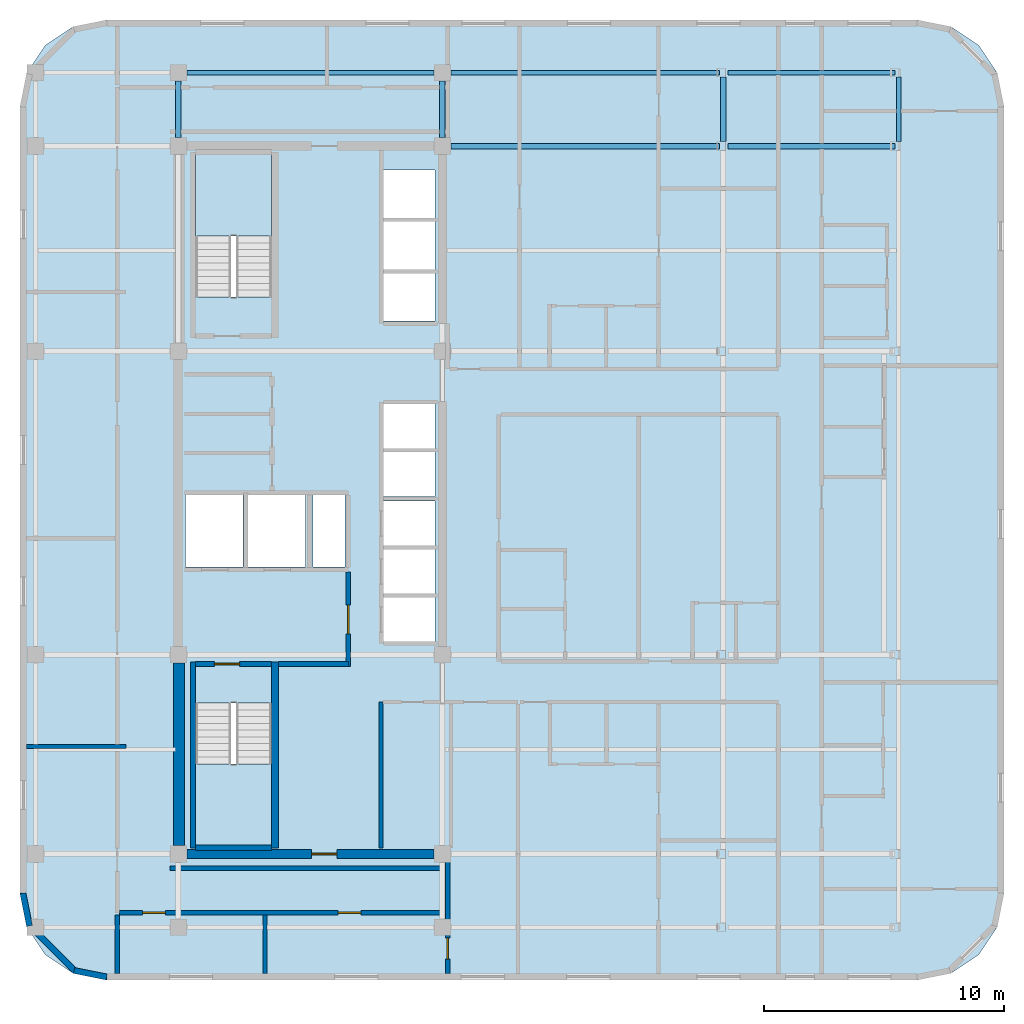
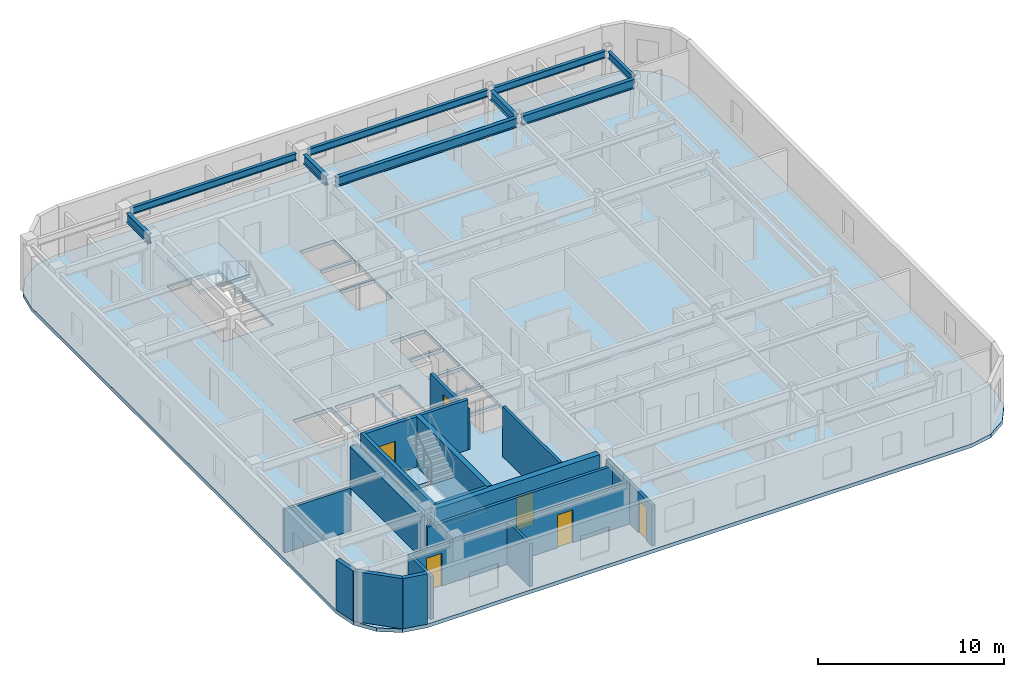
# One storey, part 2 of 8: 18 walls, 9 beams, 6 doors, 3 slabs, 6 openings, 2 elements without a shape of their own.
"""IFC4 building model written with IfcOpenShell, lengths in metres."""

from ifc_helpers import new_model, si_unit, direction, frame, frame_2d, origin, origin_2d, place, context, subcontext, project, spatial, polyline, rectangle, i_section, outline, extrude, material, layer, layer_set, material_profile, profile_set, type_object, element, fill, aggregate, save


model = new_model("IFC4")

# Units and contexts
model_context = context("Model", 3, precision=1e-05, world=origin(), true_north=direction((0.0, 1.0)))
body_context = subcontext(model_context, "Body", "Model", "MODEL_VIEW")
ifc_project = project(units=[si_unit("LENGTHUNIT", "METRE"), si_unit("AREAUNIT", "SQUARE_METRE"), si_unit("VOLUMEUNIT", "CUBIC_METRE"), si_unit("PLANEANGLEUNIT", "RADIAN"), si_unit("MASSUNIT", "GRAM", prefix="KILO")], contexts=[model_context])

# Site, building, storey
site_placement = place(None, origin())
site = spatial("IfcSite", under=ifc_project, at=site_placement, CompositionType="ELEMENT")
building_placement = place(site_placement, origin())
building = spatial("IfcBuilding", under=site, at=building_placement, Name="Ochreholt Gables", CompositionType="ELEMENT")
storey_placement = place(building_placement, frame((0.0, 0.0, 196.199951171875)))
storey = spatial("IfcBuildingStorey", under=building, at=storey_placement, Name="L51", CompositionType="ELEMENT", Elevation=196.199951171875)

# Beams
ifc_material_1 = material(Name="Steel CSA G40.21 350W", Category="steel")
ifc_material_profile_1 = material_profile(ifc_material_1, i_section(OverallWidth=0.22900390625, OverallDepth=0.612060546875, WebThickness=0.011962890625, FlangeThickness=0.01953125, at=origin_2d()), Name="W610X125")
ifc_profile_set_1 = profile_set([ifc_material_profile_1], Name="Steel CSA G40.21 350W")
beam_type_1 = type_object("IfcBeamType", Name="BM-G-W610B", PredefinedType="BEAM", material=ifc_profile_set_1)
beam_1_placement = place(storey_placement, frame((35.549560546875, 38.75, 2.994140625), z_axis=(1.0, 0.0, 0.0), x_axis=(0.0, 1.0, 0.0)))
element("IfcBeam", 1, at=beam_1_placement, inside=storey, type_object=beam_type_1, Name="L51 Beam TBG-L51-C2EM-Y5", PredefinedType="BEAM", context=body_context, shape_type="SweptSolid", body=[
    extrude(i_section(OverallWidth=0.22900390625, OverallDepth=0.612060546875, WebThickness=0.011962890625, FlangeThickness=0.01953125, at=origin_2d()), origin(), (0.0, 0.0, 1.0), 11.201904296875),
])
beam_2_placement = place(storey_placement, frame((47.106689453125, 38.75, 2.994140625), z_axis=(1.0, 0.0, 0.0), x_axis=(0.0, 1.0, 0.0)))
element("IfcBeam", 2, at=beam_2_placement, inside=storey, type_object=beam_type_1, Name="L51 Beam TBG-L51-EMEE-Y5", PredefinedType="BEAM", context=body_context, shape_type="SweptSolid", body=[
    extrude(i_section(OverallWidth=0.22900390625, OverallDepth=0.612060546875, WebThickness=0.011962890625, FlangeThickness=0.01953125, at=origin_2d()), origin(), (0.0, 0.0, 1.0), 6.9609375),
])
for number, where, z_axis, x_axis, name in (
    (3, (24.199951171875, 39.099609375, 2.994140625), (0.0, 1.0, 0.0), (-1.0, 0.0, 0.0), "L51 Beam TBN-L51-C1-Y5Y6"),
    (4, (35.199951171875, 39.099609375, 2.994140625), (0.0, 1.0, 0.0), (-1.0, 0.0, 0.0), "L51 Beam TBN-L51-C2-Y5Y6"),
):
    element("IfcBeam", number, at=place(storey_placement, frame(where, z_axis=z_axis, x_axis=x_axis)), inside=storey, type_object=beam_type_1, Name=name, PredefinedType="BEAM", context=body_context, shape_type="SweptSolid", body=[
        extrude(i_section(OverallWidth=0.22900390625, OverallDepth=0.612060546875, WebThickness=0.011962890625, FlangeThickness=0.01953125, at=origin_2d()), origin(), (0.0, 0.0, 1.0), 2.350830078125),
    ])
beam_3_placement = place(storey_placement, frame((46.909912109375, 38.927490234375, 2.994140625), z_axis=(0.0, 1.0, 0.0), x_axis=(-1.0, 0.0, 0.0)))
element("IfcBeam", 5, at=beam_3_placement, inside=storey, type_object=beam_type_1, Name="L51 Beam TBN-L51-EM-Y5Y6", PredefinedType="BEAM", context=body_context, shape_type="SweptSolid", body=[
    extrude(i_section(OverallWidth=0.22900390625, OverallDepth=0.612060546875, WebThickness=0.011962890625, FlangeThickness=0.01953125, at=origin_2d()), origin(), (0.0, 0.0, 1.0), 2.69482421875),
])
ifc_material_profile_2 = material_profile(ifc_material_1, i_section(OverallWidth=0.19189453125, OverallDepth=0.462890625, WebThickness=0.010498046875, FlangeThickness=0.017578125, at=origin_2d()), Name="W460X89")
ifc_profile_set_2 = profile_set([ifc_material_profile_2], Name="Steel CSA G40.21 350W")
beam_type_2 = type_object("IfcBeamType", Name="BM-SP-W460A", PredefinedType="SPANDREL", material=ifc_profile_set_2)
beam_4_placement = place(storey_placement, frame((24.549560546875, 41.800048828125, 3.068603515625), z_axis=(1.0, 0.0, 0.0), x_axis=(0.0, 1.0, 0.0)))
element("IfcBeam", 6, at=beam_4_placement, inside=storey, type_object=beam_type_2, Name="L51 Beam TBG-L51-C1C2-Y6", PredefinedType="SPANDREL", context=body_context, shape_type="SweptSolid", body=[
    extrude(i_section(OverallWidth=0.19189453125, OverallDepth=0.462890625, WebThickness=0.010498046875, FlangeThickness=0.017578125, at=origin_2d()), origin(), (0.0, 0.0, 1.0), 10.30078125),
])
beam_5_placement = place(storey_placement, frame((35.549560546875, 41.800048828125, 3.068603515625), z_axis=(1.0, 0.0, 0.0), x_axis=(0.0, 1.0, 0.0)))
element("IfcBeam", 7, at=beam_5_placement, inside=storey, type_object=beam_type_2, Name="L51 Beam TBG-L51-C2EM-Y6", PredefinedType="SPANDREL", context=body_context, shape_type="SweptSolid", body=[
    extrude(i_section(OverallWidth=0.19189453125, OverallDepth=0.462890625, WebThickness=0.010498046875, FlangeThickness=0.017578125, at=origin_2d()), origin(), (0.0, 0.0, 1.0), 11.201904296875),
])
beam_6_placement = place(storey_placement, frame((47.106689453125, 41.800048828125, 3.068603515625), z_axis=(1.0, 0.0, 0.0), x_axis=(0.0, 1.0, 0.0)))
element("IfcBeam", 8, at=beam_6_placement, inside=storey, type_object=beam_type_2, Name="L51 Beam TBG-L51-EMEE-Y6", PredefinedType="SPANDREL", context=body_context, shape_type="SweptSolid", body=[
    extrude(i_section(OverallWidth=0.19189453125, OverallDepth=0.462890625, WebThickness=0.010498046875, FlangeThickness=0.017578125, at=origin_2d()), origin(), (0.0, 0.0, 1.0), 6.9609375),
])
beam_7_placement = place(storey_placement, frame((54.21337890625, 38.927490234375, 3.068603515625), z_axis=(0.0, 1.0, 0.0), x_axis=(-1.0, 0.0, 0.0)))
element("IfcBeam", 9, at=beam_7_placement, inside=storey, type_object=beam_type_2, Name="L51 Beam TBN-L51-EE-Y5Y6", PredefinedType="SPANDREL", context=body_context, shape_type="SweptSolid", body=[
    extrude(i_section(OverallWidth=0.19189453125, OverallDepth=0.462890625, WebThickness=0.010498046875, FlangeThickness=0.017578125, at=origin_2d()), origin(), (0.0, 0.0, 1.0), 2.69482421875),
])

# Stair, slab
ifc_material_2 = material(Name="Concrete 40 MPa", Category="concrete")
stair_type_1 = type_object("IfcStairType", Name="STAIR-CORE-ST-1", PredefinedType="HALF_TURN_STAIR", material=ifc_material_2)
stair_1_placement = place(storey_placement, origin())
stair_1 = element("IfcStair", 10, at=stair_1_placement, inside=storey, type_object=stair_type_1, Name="L51 Core Exit Stair 1", PredefinedType="HALF_TURN_STAIR")
ifc_layer_1 = layer(ifc_material_2, 0.199951171875, Name="Concrete 40 MPa")
ifc_layer_set_1 = layer_set([ifc_layer_1], Name="Concrete 40 MPa")
slab_type_1 = type_object("IfcSlabType", Name="LANDING-RC200", PredefinedType="LANDING", material=ifc_layer_set_1)
slab_1_placement = place(storey_placement, frame((0.0, 0.0, 1.60009765625)))
slab_1 = element("IfcSlab", 11, at=slab_1_placement, type_object=slab_type_1, Name="ST-1 landing 1", PredefinedType="LANDING", context=body_context, shape_type="SweptSolid", body=[
    extrude(outline(polyline([(24.919921875, 13.001953125), (24.919921875, 9.52001953125), (28.080078125, 9.52001953125), (28.080078125, 13.001953125), (24.919921875, 13.001953125)])), origin(), (0.0, 0.0, 1.0), 0.199951171875),
])
aggregate(stair_1, [slab_1])

stair_type_2 = type_object("IfcStairType", Name="STAIR-CORE-ST-2", PredefinedType="HALF_TURN_STAIR", material=ifc_material_2)
stair_2_placement = place(storey_placement, origin())
stair_2 = element("IfcStair", 12, at=stair_2_placement, inside=storey, type_object=stair_type_2, Name="L51 Core Exit Stair 2", PredefinedType="HALF_TURN_STAIR")
slab_2_placement = place(storey_placement, frame((0.0, 0.0, 1.60009765625)))
slab_2 = element("IfcSlab", 13, at=slab_2_placement, type_object=slab_type_1, Name="ST-2 landing 1", PredefinedType="LANDING", context=body_context, shape_type="SweptSolid", body=[
    extrude(outline(polyline([(28.080078125, 34.998046875), (28.080078125, 38.47998046875), (24.919921875, 38.47998046875), (24.919921875, 34.998046875), (28.080078125, 34.998046875)])), origin(), (0.0, 0.0, 1.0), 0.199951171875),
])
aggregate(stair_2, [slab_2])

# Slab
ifc_layer_2 = layer(ifc_material_2, 0.239990234375, Name="Concrete 40 MPa")
ifc_layer_set_2 = layer_set([ifc_layer_2], Name="Concrete 40 MPa")
slab_type_2 = type_object("IfcSlabType", Name="SLAB-TWR-240", PredefinedType="FLOOR", material=ifc_layer_set_2)
slab_3_placement = place(storey_placement, frame((0.0, 0.0, -0.239990234375)))
element("IfcSlab", 14, at=slab_3_placement, inside=storey, type_object=slab_type_2, Name="L51 Structural Floor Slab", PredefinedType="FLOOR", context=body_context, shape_type="SweptSolid", body=[
    extrude(outline(polyline([(17.60009765625, 7.60009765625), (17.8740234375, 6.222412109375), (18.654296875, 5.054443359375), (19.822265625, 4.27392578125), (21.199951171875, 4.0), (55.0, 4.0), (56.377685546875, 4.27392578125), (57.545654296875, 5.054443359375), (58.325927734375, 6.222412109375), (58.60009765625, 7.60009765625), (58.60009765625, 40.39990234375), (58.325927734375, 41.777587890625), (57.545654296875, 42.945556640625), (56.377685546875, 43.72607421875), (55.0, 44.0), (21.199951171875, 44.0), (19.822265625, 43.72607421875), (18.654296875, 42.945556640625), (17.8740234375, 41.777587890625), (17.60009765625, 40.39990234375), (17.60009765625, 7.60009765625)]), holes=[polyline([(24.919921875, 15.539306640625), (24.919921875, 9.52001953125), (28.080078125, 9.52001953125), (28.080078125, 15.539306640625), (24.919921875, 15.539306640625)]), polyline([(28.080078125, 32.460693359375), (28.080078125, 38.47998046875), (24.919921875, 38.47998046875), (24.919921875, 32.460693359375), (28.080078125, 32.460693359375)]), polyline([(24.5, 21.199951171875), (26.89990234375, 21.199951171875), (26.89990234375, 24.199951171875), (24.5, 24.199951171875), (24.5, 21.199951171875)]), polyline([(27.10009765625, 21.199951171875), (29.5, 21.199951171875), (29.5, 24.199951171875), (27.10009765625, 24.199951171875), (27.10009765625, 21.199951171875)]), polyline([(32.75, 18.10009765625), (34.89990234375, 18.10009765625), (34.89990234375, 19.949951171875), (32.75, 19.949951171875), (32.75, 18.10009765625)]), polyline([(32.75, 20.10009765625), (34.89990234375, 20.10009765625), (34.89990234375, 21.949951171875), (32.75, 21.949951171875), (32.75, 20.10009765625)]), polyline([(32.75, 22.10009765625), (34.89990234375, 22.10009765625), (34.89990234375, 23.949951171875), (32.75, 23.949951171875), (32.75, 22.10009765625)]), polyline([(32.75, 24.14990234375), (34.89990234375, 24.14990234375), (34.89990234375, 26.0), (32.75, 26.0), (32.75, 24.14990234375)]), polyline([(32.75, 26.14990234375), (34.89990234375, 26.14990234375), (34.89990234375, 28.0), (32.75, 28.0), (32.75, 26.14990234375)]), polyline([(32.75, 31.449951171875), (34.89990234375, 31.449951171875), (34.89990234375, 33.449951171875), (32.75, 33.449951171875), (32.75, 31.449951171875)]), polyline([(32.75, 33.60009765625), (34.89990234375, 33.60009765625), (34.89990234375, 35.60009765625), (32.75, 35.60009765625), (32.75, 33.60009765625)]), polyline([(32.75, 35.75), (34.89990234375, 35.75), (34.89990234375, 37.75), (32.75, 37.75), (32.75, 35.75)]), polyline([(29.800048828125, 21.199951171875), (31.14990234375, 21.199951171875), (31.14990234375, 24.199951171875), (29.800048828125, 24.199951171875), (29.800048828125, 21.199951171875)])]), origin(), (0.0, 0.0, 1.0), 0.239990234375),
])

# Wall, opening, door
ifc_material_3 = material(Name="Concrete 50 MPa", Category="concrete")
ifc_layer_3 = layer(ifc_material_3, 0.3798828125, Name="Concrete 50 MPa")
ifc_layer_set_3 = layer_set([ifc_layer_3], Name="Concrete 50 MPa")
wall_type_1 = type_object("IfcWallType", Name="WALL-CSW-380", PredefinedType="SHEAR", material=ifc_layer_set_3)
wall_1_placement = place(storey_placement, frame((24.550048828125, 9.25, 0.0), z_axis=(0.0, 0.0, 1.0), x_axis=(1.0, 0.0, 0.0)))
wall_1 = element("IfcWall", 15, at=wall_1_placement, inside=storey, type_object=wall_type_1, Name="L51 Core South Shear Wall", PredefinedType="SHEAR", context=body_context, shape_type="SweptSolid", body=[
    extrude(rectangle(XDim=10.300048828125, YDim=0.3798828125, at=frame_2d((5.14990234375, 0.0))), origin(), (0.0, 0.0, 1.0), 3.300048828125),
])
opening_1_placement = place(wall_1_placement, frame((5.199951171875, 0.0, 0.0)))
opening_1 = element("IfcOpeningElement", 16, at=opening_1_placement, cuts=wall_1, Name="Opening D-FLB", PredefinedType="OPENING", context=body_context, shape_type="SweptSolid", body=[
    extrude(rectangle(XDim=1.050048828125, YDim=2.14990234375, at=frame_2d((0.52490234375, 1.074951171875))), frame((0.0, 0.199951171875, 0.0), z_axis=(0.0, -1.0, 0.0), x_axis=(1.0, 0.0, 0.0)), (0.0, 0.0, 1.0), 0.39990234375),
])
ifc_material_4 = material(Name="Hollow Metal Steel", Category="steel")
door_type_1 = type_object("IfcDoorType", Name="DR-INT-FLB1050", OperationType="NOTDEFINED", PredefinedType="DOOR", material=ifc_material_4)
door_1_placement = place(opening_1_placement, origin())
door_1 = element("IfcDoor", 17, at=door_1_placement, inside=storey, type_object=door_type_1, Name="L51 Door D-C2CRS-L51", OperationType="SINGLE_SWING_LEFT", OverallHeight=2.14990234375, OverallWidth=1.050048828125, PredefinedType="DOOR", context=body_context, shape_type="SweptSolid", body=[
    extrude(rectangle(XDim=1.050048828125, YDim=2.14990234375, at=frame_2d((0.52490234375, 1.074951171875))), frame((0.0, 0.02490234375, 0.0), z_axis=(0.0, -1.0, 0.0), x_axis=(1.0, 0.0, 0.0)), (0.0, 0.0, 1.0), 0.050048828125),
])
fill(opening_1, door_1)

# Walls
ifc_material_5 = material(Name="Concrete 60 MPa", Category="concrete")
ifc_layer_4 = layer(ifc_material_5, 0.449951171875, Name="Concrete 60 MPa")
ifc_layer_set_4 = layer_set([ifc_layer_4], Name="Concrete 60 MPa")
wall_type_2 = type_object("IfcWallType", Name="WALL-CSW-450", PredefinedType="SHEAR", material=ifc_layer_set_4)
wall_2_placement = place(storey_placement, frame((24.22509765625, 9.60009765625, 0.0), z_axis=(0.0, 0.0, 1.0), x_axis=(0.0, 1.0, 0.0)))
element("IfcWall", 18, at=wall_2_placement, inside=storey, type_object=wall_type_2, Name="L51 Core West Shear Wall WS", PredefinedType="SHEAR", context=body_context, shape_type="SweptSolid", body=[
    extrude(rectangle(XDim=7.599853515625, YDim=0.449951171875, at=frame_2d((3.7998046875, 0.0))), origin(), (0.0, 0.0, 1.0), 2.68798828125),
])
ifc_material_6 = material(Name="Precast concrete 40 MPa", Category="concrete")
ifc_layer_5 = layer(ifc_material_6, 0.25, Name="Precast concrete 40 MPa")
ifc_layer_set_5 = layer_set([ifc_layer_5], Name="Precast concrete 40 MPa")
wall_type_3 = type_object("IfcWallType", Name="WALL-EXT-CNR", PredefinedType="SOLIDWALL", material=ifc_layer_set_5)
wall_3_placement = place(storey_placement, frame((17.72412109375, 7.616455078125, 0.0), z_axis=(0.0, 0.0, 1.0), x_axis=(0.195135625965, -0.9807762678, 0.0)))
element("IfcWall", 19, at=wall_3_placement, inside=storey, type_object=wall_type_3, Name="L51 Rounded Corner Wall SW-1", PredefinedType="SOLIDWALL", context=body_context, shape_type="SweptSolid", body=[
    extrude(rectangle(XDim=1.388671875, YDim=0.25, at=frame_2d((0.6943359375, 0.0))), origin(), (0.0, 0.0, 1.0), 3.300048828125),
])
wall_4_placement = place(storey_placement, frame((17.968017578125, 6.304931640625, 0.0), z_axis=(0.0, 0.0, 1.0), x_axis=(0.707106781187, -0.707106781187, 0.0)))
element("IfcWall", 20, at=wall_4_placement, inside=storey, type_object=wall_type_3, Name="L51 Rounded Corner Wall SW-2", PredefinedType="SOLIDWALL", context=body_context, shape_type="SweptSolid", body=[
    extrude(rectangle(XDim=2.7392578125, YDim=0.25, at=frame_2d((1.36962890625, 0.0))), origin(), (0.0, 0.0, 1.0), 3.300048828125),
])
wall_5_placement = place(storey_placement, frame((19.8544921875, 4.39501953125, 0.0), z_axis=(0.0, 0.0, 1.0), x_axis=(0.980809899341, -0.19496651342, 0.0)))
element("IfcWall", 21, at=wall_5_placement, inside=storey, type_object=wall_type_3, Name="L51 Rounded Corner Wall SW-3", PredefinedType="SOLIDWALL", context=body_context, shape_type="SweptSolid", body=[
    extrude(rectangle(XDim=1.388671875, YDim=0.25, at=frame_2d((0.6943359375, 0.0))), origin(), (0.0, 0.0, 1.0), 3.300048828125),
])
ifc_layer_6 = layer(ifc_material_2, 0.199951171875, Name="Concrete 40 MPa")
ifc_layer_set_6 = layer_set([ifc_layer_6], Name="Concrete 40 MPa")
wall_type_4 = type_object("IfcWallType", Name="WALL-INT-CF200", PredefinedType="STANDARD", material=ifc_layer_set_6)
wall_6_placement = place(storey_placement, frame((28.3798828125, 17.169921875, 0.0), z_axis=(0.0, 0.0, 1.0), x_axis=(1.0, 0.0, 0.0)))
element("IfcWall", 22, at=wall_6_placement, inside=storey, type_object=wall_type_4, Name="L51 Interior Wall WI-FFS-L51", PredefinedType="STANDARD", context=body_context, shape_type="SweptSolid", body=[
    extrude(rectangle(XDim=2.900146484375, YDim=0.199951171875, at=frame_2d((1.4501953125, 0.0))), origin(), (0.0, 0.0, 1.0), 3.300048828125),
])

# Wall, opening, door
wall_7_placement = place(storey_placement, frame((31.280029296875, 17.070068359375, 0.0), z_axis=(0.0, 0.0, 1.0), x_axis=(0.0, 1.0, 0.0)))
wall_7 = element("IfcWall", 23, at=wall_7_placement, inside=storey, type_object=wall_type_4, Name="L51 Interior Wall WI-FFE-L51", PredefinedType="STANDARD", context=body_context, shape_type="SweptSolid", body=[
    extrude(rectangle(XDim=3.919921875, YDim=0.199951171875, at=frame_2d((1.9599609375, 0.0))), origin(), (0.0, 0.0, 1.0), 2.670166015625),
])
opening_2_placement = place(wall_7_placement, frame((1.35009765625, 0.0, 0.0)))
opening_2 = element("IfcOpeningElement", 24, at=opening_2_placement, cuts=wall_7, Name="Opening D-FFL", PredefinedType="OPENING", context=body_context, shape_type="SweptSolid", body=[
    extrude(rectangle(XDim=1.199951171875, YDim=2.14990234375, at=frame_2d((0.60009765625, 1.074951171875))), frame((0.0, 0.10986328125, 0.0), z_axis=(0.0, -1.0, 0.0), x_axis=(1.0, 0.0, 0.0)), (0.0, 0.0, 1.0), 0.219970703125),
])
door_type_2 = type_object("IfcDoorType", Name="DR-INT-FFL1200", OperationType="NOTDEFINED", PredefinedType="DOOR", material=ifc_material_4)
door_2_placement = place(opening_2_placement, origin())
door_2 = element("IfcDoor", 25, at=door_2_placement, inside=storey, type_object=door_type_2, Name="L51 Door D-FFL-L51", OperationType="SINGLE_SWING_LEFT", OverallHeight=2.14990234375, OverallWidth=1.199951171875, PredefinedType="DOOR", context=body_context, shape_type="SweptSolid", body=[
    extrude(rectangle(XDim=1.199951171875, YDim=2.14990234375, at=frame_2d((0.60009765625, 1.074951171875))), frame((0.0, 0.02490234375, 0.0), z_axis=(0.0, -1.0, 0.0), x_axis=(1.0, 0.0, 0.0)), (0.0, 0.0, 1.0), 0.050048828125),
])
fill(opening_2, door_2)

# Wall, openings, doors
ifc_material_7 = material(Name="Fire-Rated Gypsum Acoustic Partition", Category="gypsum")
ifc_layer_7 = layer(ifc_material_7, 0.179931640625, Name="Fire-Rated Gypsum Acoustic Partition")
ifc_layer_set_7 = layer_set([ifc_layer_7], Name="Fire-Rated Gypsum Acoustic Partition")
wall_type_5 = type_object("IfcWallType", Name="WALL-INT-CR180", PredefinedType="STANDARD", material=ifc_layer_set_7)
wall_8_placement = place(storey_placement, frame((21.739990234375, 6.800048828125, 0.0), z_axis=(0.0, 0.0, 1.0), x_axis=(1.0, 0.0, 0.0)))
wall_8 = element("IfcWall", 26, at=wall_8_placement, inside=storey, type_object=wall_type_5, Name="L51 Interior Wall WI-C2WCS-L51", PredefinedType="STANDARD", context=body_context, shape_type="SweptSolid", body=[
    extrude(rectangle(XDim=13.679931640625, YDim=0.179931640625, at=frame_2d((6.83984375, 0.0))), origin(), (0.0, 0.0, 1.0), 2.670166015625),
])
opening_3_placement = place(wall_8_placement, frame((0.969970703125, 0.0, 0.0)))
opening_3 = element("IfcOpeningElement", 27, at=opening_3_placement, cuts=wall_8, Name="Opening D-GN1", PredefinedType="OPENING", context=body_context, shape_type="SweptSolid", body=[
    extrude(rectangle(XDim=0.949951171875, YDim=2.14990234375, at=frame_2d((0.47509765625, 1.074951171875))), frame((0.0, 0.099853515625, 0.0), z_axis=(0.0, -1.0, 0.0), x_axis=(1.0, 0.0, 0.0)), (0.0, 0.0, 1.0), 0.199951171875),
])
opening_4_placement = place(wall_8_placement, frame((9.110107421875, 0.0, 0.0)))
opening_4 = element("IfcOpeningElement", 28, at=opening_4_placement, cuts=wall_8, Name="Opening D-GN1", PredefinedType="OPENING", context=body_context, shape_type="SweptSolid", body=[
    extrude(rectangle(XDim=0.949951171875, YDim=2.14990234375, at=frame_2d((0.47509765625, 1.074951171875))), frame((0.0, 0.099853515625, 0.0), z_axis=(0.0, -1.0, 0.0), x_axis=(1.0, 0.0, 0.0)), (0.0, 0.0, 1.0), 0.199951171875),
])
ifc_material_8 = material(Name="Engineered Oak Timber", Category="wood")
door_type_3 = type_object("IfcDoorType", Name="DR-INT-GEN950", OperationType="NOTDEFINED", PredefinedType="DOOR", material=ifc_material_8)
door_3_placement = place(opening_3_placement, origin())
door_3 = element("IfcDoor", 29, at=door_3_placement, inside=storey, type_object=door_type_3, Name="L51 Door D-C2STL1-L51", OperationType="SINGLE_SWING_LEFT", OverallHeight=2.14990234375, OverallWidth=0.949951171875, PredefinedType="DOOR", context=body_context, shape_type="SweptSolid", body=[
    extrude(rectangle(XDim=0.949951171875, YDim=2.14990234375, at=frame_2d((0.47509765625, 1.074951171875))), frame((0.0, 0.02490234375, 0.0), z_axis=(0.0, -1.0, 0.0), x_axis=(1.0, 0.0, 0.0)), (0.0, 0.0, 1.0), 0.050048828125),
])
fill(opening_3, door_3)
door_4_placement = place(opening_4_placement, origin())
door_4 = element("IfcDoor", 30, at=door_4_placement, inside=storey, type_object=door_type_3, Name="L51 Door D-C2STL2-L51", OperationType="SINGLE_SWING_RIGHT", OverallHeight=2.14990234375, OverallWidth=0.949951171875, PredefinedType="DOOR", context=body_context, shape_type="SweptSolid", body=[
    extrude(rectangle(XDim=0.949951171875, YDim=2.14990234375, at=frame_2d((0.47509765625, 1.074951171875))), frame((0.0, 0.02490234375, 0.0), z_axis=(0.0, -1.0, 0.0), x_axis=(1.0, 0.0, 0.0)), (0.0, 0.0, 1.0), 0.050048828125),
])
fill(opening_4, door_4)

# Walls
wall_9_placement = place(storey_placement, frame((23.85009765625, 8.64990234375, 0.0), z_axis=(0.0, 0.0, 1.0), x_axis=(1.0, 0.0, 0.0)))
element("IfcWall", 31, at=wall_9_placement, inside=storey, type_object=wall_type_5, Name="L51 Interior Wall WI-C2WCS2-L51", PredefinedType="STANDARD", context=body_context, shape_type="SweptSolid", body=[
    extrude(rectangle(XDim=11.56982421875, YDim=0.179931640625, at=frame_2d((5.784912109375, 0.0))), origin(), (0.0, 0.0, 1.0), 2.670166015625),
])
ifc_material_9 = material(Name="Double-Stud Acoustic Demising Wall", Category="gypsum")
ifc_layer_8 = layer(ifc_material_9, 0.179931640625, Name="Double-Stud Acoustic Demising Wall")
ifc_layer_set_8 = layer_set([ifc_layer_8], Name="Double-Stud Acoustic Demising Wall")
wall_type_6 = type_object("IfcWallType", Name="WALL-INT-DM180", PredefinedType="PARTITIONING", material=ifc_layer_set_8)
wall_10_placement = place(storey_placement, frame((21.64990234375, 4.280029296875, 0.0), z_axis=(0.0, 0.0, 1.0), x_axis=(0.0, 1.0, 0.0)))
element("IfcWall", 32, at=wall_10_placement, inside=storey, type_object=wall_type_6, Name="L51 Interior Wall WI-C2WWS-L51", PredefinedType="PARTITIONING", context=body_context, shape_type="SweptSolid", body=[
    extrude(rectangle(XDim=2.429931640625, YDim=0.179931640625, at=frame_2d((1.21484375, 0.0))), origin(), (0.0, 0.0, 1.0), 2.819091796875),
])

# Wall, opening, door
wall_11_placement = place(storey_placement, frame((35.419921875, 4.280029296875, 0.0), z_axis=(0.0, 0.0, 1.0), x_axis=(0.0, 1.0, 0.0)))
wall_11 = element("IfcWall", 33, at=wall_11_placement, inside=storey, type_object=wall_type_6, Name="L51 Interior Wall WI-C2SES-L51", PredefinedType="PARTITIONING", context=body_context, shape_type="SweptSolid", body=[
    extrude(rectangle(XDim=4.969970703125, YDim=0.179931640625, at=frame_2d((2.48486328125, 0.0))), origin(), (0.0, 0.0, 1.0), 2.670166015625),
])
opening_5_placement = place(wall_11_placement, frame((0.590087890625, 0.0, 0.0)))
opening_5 = element("IfcOpeningElement", 34, at=opening_5_placement, cuts=wall_11, Name="Opening D-GN2", PredefinedType="OPENING", context=body_context, shape_type="SweptSolid", body=[
    extrude(rectangle(XDim=0.8798828125, YDim=2.1201171875, at=frame_2d((0.43994140625, 1.06005859375))), frame((0.0, 0.099853515625, 0.0), z_axis=(0.0, -1.0, 0.0), x_axis=(1.0, 0.0, 0.0)), (0.0, 0.0, 1.0), 0.199951171875),
])
door_type_4 = type_object("IfcDoorType", Name="DR-INT-GEN880", OperationType="NOTDEFINED", PredefinedType="DOOR", material=ifc_material_8)
door_5_placement = place(opening_5_placement, origin())
door_5 = element("IfcDoor", 35, at=door_5_placement, inside=storey, type_object=door_type_4, Name="L51 Door D-C2SPS-L51", OperationType="SINGLE_SWING_LEFT", OverallHeight=2.1201171875, OverallWidth=0.8798828125, PredefinedType="DOOR", context=body_context, shape_type="SweptSolid", body=[
    extrude(rectangle(XDim=0.8798828125, YDim=2.1201171875, at=frame_2d((0.43994140625, 1.06005859375))), frame((0.0, 0.02490234375, 0.0), z_axis=(0.0, -1.0, 0.0), x_axis=(1.0, 0.0, 0.0)), (0.0, 0.0, 1.0), 0.050048828125),
])
fill(opening_5, door_5)

# Walls
ifc_material_10 = material(Name="Gypsum Acoustic Stud Partition", Category="gypsum")
ifc_layer_9 = layer(ifc_material_10, 0.1650390625, Name="Gypsum Acoustic Stud Partition")
ifc_layer_set_9 = layer_set([ifc_layer_9], Name="Gypsum Acoustic Stud Partition")
wall_type_7 = type_object("IfcWallType", Name="WALL-INT-PT165", PredefinedType="PARTITIONING", material=ifc_layer_set_9)
wall_12_placement = place(storey_placement, frame((32.64990234375, 9.5, 0.0), z_axis=(0.0, 0.0, 1.0), x_axis=(0.0, 1.0, 0.0)))
element("IfcWall", 36, at=wall_12_placement, inside=storey, type_object=wall_type_7, Name="L51 Interior Wall WI-RCL-W-L51", PredefinedType="PARTITIONING", context=body_context, shape_type="SweptSolid", body=[
    extrude(rectangle(XDim=6.080078125, YDim=0.1650390625, at=frame_2d((3.0400390625, 0.0))), origin(), (0.0, 0.0, 1.0), 3.300048828125),
])
wall_13_placement = place(storey_placement, frame((17.8798828125, 13.72509765625, 0.0), z_axis=(0.0, 0.0, 1.0), x_axis=(1.0, 0.0, 0.0)))
element("IfcWall", 37, at=wall_13_placement, inside=storey, type_object=wall_type_7, Name="L51 Interior Wall WU-L51W1-SDV", PredefinedType="PARTITIONING", context=body_context, shape_type="SweptSolid", body=[
    extrude(rectangle(XDim=4.130126953125, YDim=0.1650390625, at=frame_2d((2.06494140625, 0.0))), origin(), (0.0, 0.0, 1.0), 2.819091796875),
])
wall_14_placement = place(storey_placement, frame((27.800048828125, 4.280029296875, 0.0), z_axis=(0.0, 0.0, 1.0), x_axis=(0.0, 1.0, 0.0)))
element("IfcWall", 38, at=wall_14_placement, inside=storey, type_object=wall_type_7, Name="L51 Interior Wall WI-C2PKS-L51", PredefinedType="PARTITIONING", context=body_context, shape_type="SweptSolid", body=[
    extrude(rectangle(XDim=2.429931640625, YDim=0.1650390625, at=frame_2d((1.21484375, 0.0))), origin(), (0.0, 0.0, 1.0), 2.819091796875),
])
ifc_layer_10 = layer(ifc_material_5, 0.300048828125, Name="Concrete 60 MPa")
ifc_layer_set_10 = layer_set([ifc_layer_10], Name="Concrete 60 MPa")
wall_type_8 = type_object("IfcWallType", Name="WALL-SPN-300", PredefinedType="SHEAR", material=ifc_layer_set_10)
wall_15_placement = place(storey_placement, frame((28.22998046875, 9.5, 0.0), z_axis=(0.0, 0.0, 1.0), x_axis=(0.0, 1.0, 0.0)))
element("IfcWall", 39, at=wall_15_placement, inside=storey, type_object=wall_type_8, Name="L51 Core South Spine Shear Wall", PredefinedType="SHEAR", context=body_context, shape_type="SweptSolid", body=[
    extrude(rectangle(XDim=7.760009765625, YDim=0.300048828125, at=frame_2d((3.8798828125, 0.0))), origin(), (0.0, 0.0, 1.0), 3.300048828125),
])
ifc_layer_11 = layer(ifc_material_3, 0.219970703125, Name="Concrete 50 MPa")
ifc_layer_set_11 = layer_set([ifc_layer_11], Name="Concrete 50 MPa")
wall_type_9 = type_object("IfcWallType", Name="WALL-STW-220", PredefinedType="SHEAR", material=ifc_layer_set_11)
wall_16_placement = place(storey_placement, frame((24.81005859375, 9.5, 0.0), z_axis=(0.0, 0.0, 1.0), x_axis=(0.0, 1.0, 0.0)))
element("IfcWall", 40, at=wall_16_placement, inside=storey, type_object=wall_type_9, Name="L51 Exit Stair 1 West Wall", PredefinedType="SHEAR", context=body_context, shape_type="SweptSolid", body=[
    extrude(rectangle(XDim=7.760009765625, YDim=0.219970703125, at=frame_2d((3.8798828125, 0.0))), origin(), (0.0, 0.0, 1.0), 3.300048828125),
])
wall_17_placement = place(storey_placement, frame((24.919921875, 9.510009765625, 0.0), z_axis=(0.0, 0.0, 1.0), x_axis=(1.0, 0.0, 0.0)))
element("IfcWall", 41, at=wall_17_placement, inside=storey, type_object=wall_type_9, Name="L51 Exit Stair 1 South Wall", PredefinedType="SHEAR", context=body_context, shape_type="SweptSolid", body=[
    extrude(rectangle(XDim=3.16015625, YDim=0.219970703125, at=frame_2d((1.580078125, 0.0))), origin(), (0.0, 0.0, 1.0), 3.300048828125),
])

# Wall, opening, door
wall_18_placement = place(storey_placement, frame((24.919921875, 17.169921875, 0.0), z_axis=(0.0, 0.0, 1.0), x_axis=(1.0, 0.0, 0.0)))
wall_18 = element("IfcWall", 42, at=wall_18_placement, inside=storey, type_object=wall_type_9, Name="L51 Exit Stair 1 North Wall", PredefinedType="SHEAR", context=body_context, shape_type="SweptSolid", body=[
    extrude(rectangle(XDim=3.16015625, YDim=0.219970703125, at=frame_2d((1.580078125, 0.0))), origin(), (0.0, 0.0, 1.0), 3.300048828125),
])
opening_6_placement = place(wall_18_placement, frame((0.780029296875, 0.0, 0.0)))
opening_6 = element("IfcOpeningElement", 43, at=opening_6_placement, cuts=wall_18, Name="Opening D-STC", PredefinedType="OPENING", context=body_context, shape_type="SweptSolid", body=[
    extrude(rectangle(XDim=1.050048828125, YDim=2.14990234375, at=frame_2d((0.52490234375, 1.074951171875))), frame((0.0, 0.119873046875, 0.0), z_axis=(0.0, -1.0, 0.0), x_axis=(1.0, 0.0, 0.0)), (0.0, 0.0, 1.0), 0.239990234375),
])
door_type_5 = type_object("IfcDoorType", Name="DR-INT-ST1050", OperationType="NOTDEFINED", PredefinedType="DOOR", material=ifc_material_4)
door_6_placement = place(opening_6_placement, frame((1.050048828125, 0.0, 0.0), z_axis=(0.0, 0.0, 1.0), x_axis=(-1.0, 0.0, 0.0)))
door_6 = element("IfcDoor", 44, at=door_6_placement, inside=storey, type_object=door_type_5, Name="L51 Door D-ST1-L51", OperationType="SINGLE_SWING_LEFT", OverallHeight=2.14990234375, OverallWidth=1.050048828125, PredefinedType="DOOR", context=body_context, shape_type="SweptSolid", body=[
    extrude(rectangle(XDim=1.050048828125, YDim=2.14990234375, at=frame_2d((0.52490234375, 1.074951171875))), frame((0.0, 0.02490234375, 0.0), z_axis=(0.0, -1.0, 0.0), x_axis=(1.0, 0.0, 0.0)), (0.0, 0.0, 1.0), 0.050048828125),
])
fill(opening_6, door_6)

save(model, "model.ifc")
